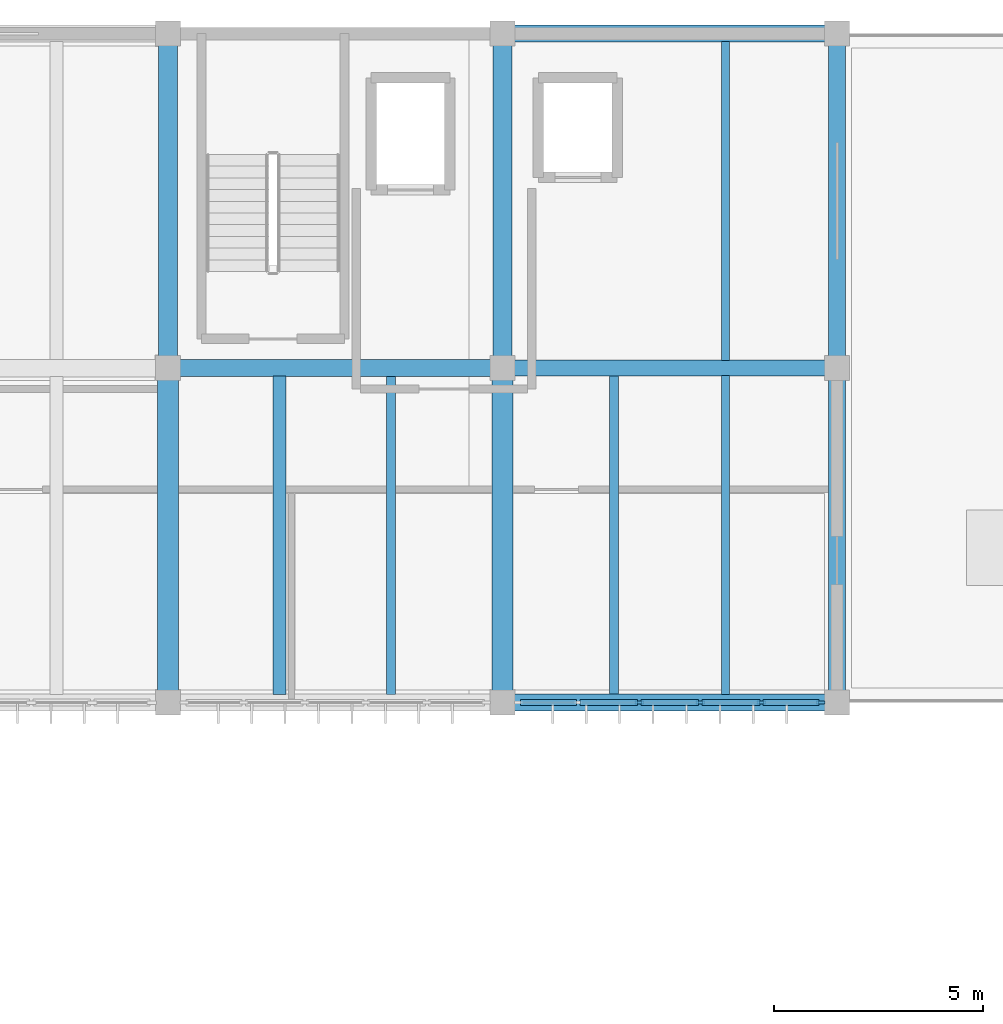
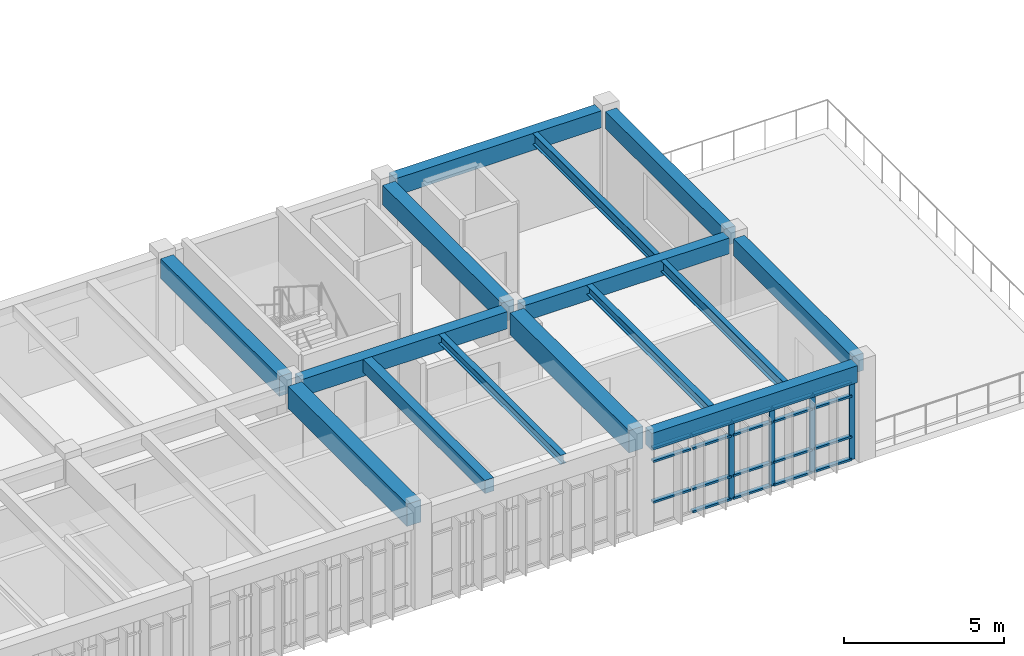
# One storey, part 10 of 22: 23 members, 15 beams, 1 element without a shape of its own.
"""IFC4 building model written with IfcOpenShell, lengths in metres."""

from ifc_helpers import new_model, si_unit, direction, frame, origin, origin_2d, place, context, subcontext, project, spatial, rectangle, i_section, extrude, material, material_profile, profile_set, type_object, element, aggregate, save


model = new_model("IFC4")

# Units and contexts
model_context = context("Model", 3, precision=1e-05, world=origin(), true_north=direction((0.0, 1.0)))
body_context = subcontext(model_context, "Body", "Model", "MODEL_VIEW")
ifc_project = project(units=[si_unit("LENGTHUNIT", "METRE"), si_unit("AREAUNIT", "SQUARE_METRE"), si_unit("VOLUMEUNIT", "CUBIC_METRE"), si_unit("PLANEANGLEUNIT", "RADIAN"), si_unit("MASSUNIT", "GRAM", prefix="KILO")], contexts=[model_context])

# Site, building, storey
site_placement = place(None, origin())
site = spatial("IfcSite", under=ifc_project, at=site_placement, CompositionType="ELEMENT")
building_placement = place(site_placement, origin())
building = spatial("IfcBuilding", under=site, at=building_placement, Name="Tlaxcora Railside Police Headquarters", CompositionType="ELEMENT")
storey_placement = place(building_placement, frame((0.0, 0.0, 21.89990234375)))
storey = spatial("IfcBuildingStorey", under=building, at=storey_placement, Name="L05", CompositionType="ELEMENT", Elevation=21.89990234375)

# Curtain wall, members
ifc_material_1 = material(Name="Thermally broken low-E insulated glazing", Category="glass")
curtain_wall_type = type_object("IfcCurtainWallType", Name="Unitised Curtain Wall Assembly CW-15", PredefinedType="NOTDEFINED", material=ifc_material_1)
curtain_wall_placement = place(storey_placement, origin())
curtain_wall = element("IfcCurtainWall", 1, at=curtain_wall_placement, inside=storey, type_object=curtain_wall_type, Name="V5 L05 curtain wall 114", PredefinedType="NOTDEFINED")
ifc_material_2 = material(Name="Anodised aluminium framing", Category="aluminium")
ifc_material_profile_1 = material_profile(ifc_material_2, rectangle(XDim=0.074951171875, YDim=0.199951171875, at=origin_2d()), Name="AL75X200")
ifc_profile_set_1 = profile_set([ifc_material_profile_1], Name="Anodised aluminium framing")
member_type_1 = type_object("IfcMemberType", Name="Curtain Wall Mullion CW-58", PredefinedType="MULLION", material=ifc_profile_set_1)
member_1_placement = place(storey_placement, frame((81.27001953125, 76.800048828125, 0.0), z_axis=(0.0, 0.0, 1.0), x_axis=(0.0, 1.0, 0.0)))
member_1 = element("IfcMember", 2, at=member_1_placement, type_object=member_type_1, Name="CW mullion 3", PredefinedType="MULLION", context=body_context, shape_type="SweptSolid", body=[
    extrude(rectangle(XDim=0.074951171875, YDim=0.199951171875, at=origin_2d()), origin(), (0.0, 0.0, 1.0), 2.97998046875),
])
member_2_placement = place(storey_placement, frame((82.72998046875, 76.800048828125, 0.0), z_axis=(0.0, 0.0, 1.0), x_axis=(0.0, 1.0, 0.0)))
member_2 = element("IfcMember", 3, at=member_2_placement, type_object=member_type_1, Name="CW mullion 4", PredefinedType="MULLION", context=body_context, shape_type="SweptSolid", body=[
    extrude(rectangle(XDim=0.074951171875, YDim=0.199951171875, at=origin_2d()), origin(), (0.0, 0.0, 1.0), 2.97998046875),
])
member_3_placement = place(storey_placement, frame((84.18994140625, 76.800048828125, 0.0), z_axis=(0.0, 0.0, 1.0), x_axis=(0.0, 1.0, 0.0)))
member_3 = element("IfcMember", 4, at=member_3_placement, type_object=member_type_1, Name="CW mullion 5", PredefinedType="MULLION", context=body_context, shape_type="SweptSolid", body=[
    extrude(rectangle(XDim=0.074951171875, YDim=0.199951171875, at=origin_2d()), origin(), (0.0, 0.0, 1.0), 2.97998046875),
])
member_4_placement = place(storey_placement, frame((85.612548828125, 76.800048828125, 0.0), z_axis=(0.0, 0.0, 1.0), x_axis=(0.0, 1.0, 0.0)))
member_4 = element("IfcMember", 5, at=member_4_placement, type_object=member_type_1, Name="CW mullion 6", PredefinedType="MULLION", context=body_context, shape_type="SweptSolid", body=[
    extrude(rectangle(XDim=0.074951171875, YDim=0.199951171875, at=origin_2d()), origin(), (0.0, 0.0, 1.0), 2.97998046875),
])
ifc_material_profile_2 = material_profile(ifc_material_2, rectangle(XDim=0.14990234375, YDim=0.074951171875, at=origin_2d()), Name="AL75X150")
ifc_profile_set_2 = profile_set([ifc_material_profile_2], Name="Anodised aluminium framing")
member_type_2 = type_object("IfcMemberType", Name="Curtain Wall Transom CW-28", PredefinedType="USERDEFINED", material=ifc_profile_set_2)
member_5_placement = place(storey_placement, frame((78.425048828125, 76.800048828125, 0.900146484375), z_axis=(1.0, 0.0, 0.0), x_axis=(0.0, 1.0, 0.0)))
member_5 = element("IfcMember", 6, at=member_5_placement, type_object=member_type_2, Name="CW transom 1.2", ObjectType="TRANSOM", PredefinedType="USERDEFINED", context=body_context, shape_type="SweptSolid", body=[
    extrude(rectangle(XDim=0.14990234375, YDim=0.074951171875, at=origin_2d()), origin(), (0.0, 0.0, 1.0), 1.347412109375),
])
member_6_placement = place(storey_placement, frame((78.425048828125, 76.800048828125, 2.4501953125), z_axis=(1.0, 0.0, 0.0), x_axis=(0.0, 1.0, 0.0)))
member_6 = element("IfcMember", 7, at=member_6_placement, type_object=member_type_2, Name="CW transom 1.3", ObjectType="TRANSOM", PredefinedType="USERDEFINED", context=body_context, shape_type="SweptSolid", body=[
    extrude(rectangle(XDim=0.14990234375, YDim=0.074951171875, at=origin_2d()), origin(), (0.0, 0.0, 1.0), 1.347412109375),
])
member_7_placement = place(storey_placement, frame((78.425048828125, 76.800048828125, 2.942626953125), z_axis=(1.0, 0.0, 0.0), x_axis=(0.0, 1.0, 0.0)))
member_7 = element("IfcMember", 8, at=member_7_placement, type_object=member_type_2, Name="CW transom 1.4", ObjectType="TRANSOM", PredefinedType="USERDEFINED", context=body_context, shape_type="SweptSolid", body=[
    extrude(rectangle(XDim=0.14990234375, YDim=0.074951171875, at=origin_2d()), origin(), (0.0, 0.0, 1.0), 1.347412109375),
])
member_8_placement = place(storey_placement, frame((79.847412109375, 76.800048828125, 0.03759765625), z_axis=(1.0, 0.0, 0.0), x_axis=(0.0, 1.0, 0.0)))
member_8 = element("IfcMember", 9, at=member_8_placement, type_object=member_type_2, Name="CW transom 2.1", ObjectType="TRANSOM", PredefinedType="USERDEFINED", context=body_context, shape_type="SweptSolid", body=[
    extrude(rectangle(XDim=0.14990234375, YDim=0.074951171875, at=origin_2d()), origin(), (0.0, 0.0, 1.0), 1.385009765625),
])
member_9_placement = place(storey_placement, frame((79.847412109375, 76.800048828125, 0.900146484375), z_axis=(1.0, 0.0, 0.0), x_axis=(0.0, 1.0, 0.0)))
member_9 = element("IfcMember", 10, at=member_9_placement, type_object=member_type_2, Name="CW transom 2.2", ObjectType="TRANSOM", PredefinedType="USERDEFINED", context=body_context, shape_type="SweptSolid", body=[
    extrude(rectangle(XDim=0.14990234375, YDim=0.074951171875, at=origin_2d()), origin(), (0.0, 0.0, 1.0), 1.385009765625),
])
member_10_placement = place(storey_placement, frame((79.847412109375, 76.800048828125, 2.4501953125), z_axis=(1.0, 0.0, 0.0), x_axis=(0.0, 1.0, 0.0)))
member_10 = element("IfcMember", 11, at=member_10_placement, type_object=member_type_2, Name="CW transom 2.3", ObjectType="TRANSOM", PredefinedType="USERDEFINED", context=body_context, shape_type="SweptSolid", body=[
    extrude(rectangle(XDim=0.14990234375, YDim=0.074951171875, at=origin_2d()), origin(), (0.0, 0.0, 1.0), 1.385009765625),
])
member_11_placement = place(storey_placement, frame((79.847412109375, 76.800048828125, 2.942626953125), z_axis=(1.0, 0.0, 0.0), x_axis=(0.0, 1.0, 0.0)))
member_11 = element("IfcMember", 12, at=member_11_placement, type_object=member_type_2, Name="CW transom 2.4", ObjectType="TRANSOM", PredefinedType="USERDEFINED", context=body_context, shape_type="SweptSolid", body=[
    extrude(rectangle(XDim=0.14990234375, YDim=0.074951171875, at=origin_2d()), origin(), (0.0, 0.0, 1.0), 1.385009765625),
])
member_12_placement = place(storey_placement, frame((81.3076171875, 76.800048828125, 0.03759765625), z_axis=(1.0, 0.0, 0.0), x_axis=(0.0, 1.0, 0.0)))
member_12 = element("IfcMember", 13, at=member_12_placement, type_object=member_type_2, Name="CW transom 3.1", ObjectType="TRANSOM", PredefinedType="USERDEFINED", context=body_context, shape_type="SweptSolid", body=[
    extrude(rectangle(XDim=0.14990234375, YDim=0.074951171875, at=origin_2d()), origin(), (0.0, 0.0, 1.0), 1.384765625),
])
member_13_placement = place(storey_placement, frame((81.3076171875, 76.800048828125, 0.900146484375), z_axis=(1.0, 0.0, 0.0), x_axis=(0.0, 1.0, 0.0)))
member_13 = element("IfcMember", 14, at=member_13_placement, type_object=member_type_2, Name="CW transom 3.2", ObjectType="TRANSOM", PredefinedType="USERDEFINED", context=body_context, shape_type="SweptSolid", body=[
    extrude(rectangle(XDim=0.14990234375, YDim=0.074951171875, at=origin_2d()), origin(), (0.0, 0.0, 1.0), 1.384765625),
])
member_14_placement = place(storey_placement, frame((81.3076171875, 76.800048828125, 2.4501953125), z_axis=(1.0, 0.0, 0.0), x_axis=(0.0, 1.0, 0.0)))
member_14 = element("IfcMember", 15, at=member_14_placement, type_object=member_type_2, Name="CW transom 3.3", ObjectType="TRANSOM", PredefinedType="USERDEFINED", context=body_context, shape_type="SweptSolid", body=[
    extrude(rectangle(XDim=0.14990234375, YDim=0.074951171875, at=origin_2d()), origin(), (0.0, 0.0, 1.0), 1.384765625),
])
member_15_placement = place(storey_placement, frame((81.3076171875, 76.800048828125, 2.942626953125), z_axis=(1.0, 0.0, 0.0), x_axis=(0.0, 1.0, 0.0)))
member_15 = element("IfcMember", 16, at=member_15_placement, type_object=member_type_2, Name="CW transom 3.4", ObjectType="TRANSOM", PredefinedType="USERDEFINED", context=body_context, shape_type="SweptSolid", body=[
    extrude(rectangle(XDim=0.14990234375, YDim=0.074951171875, at=origin_2d()), origin(), (0.0, 0.0, 1.0), 1.384765625),
])
member_16_placement = place(storey_placement, frame((82.767578125, 76.800048828125, 0.03759765625), z_axis=(1.0, 0.0, 0.0), x_axis=(0.0, 1.0, 0.0)))
member_16 = element("IfcMember", 17, at=member_16_placement, type_object=member_type_2, Name="CW transom 4.1", ObjectType="TRANSOM", PredefinedType="USERDEFINED", context=body_context, shape_type="SweptSolid", body=[
    extrude(rectangle(XDim=0.14990234375, YDim=0.074951171875, at=origin_2d()), origin(), (0.0, 0.0, 1.0), 1.385009765625),
])
member_17_placement = place(storey_placement, frame((82.767578125, 76.800048828125, 0.900146484375), z_axis=(1.0, 0.0, 0.0), x_axis=(0.0, 1.0, 0.0)))
member_17 = element("IfcMember", 18, at=member_17_placement, type_object=member_type_2, Name="CW transom 4.2", ObjectType="TRANSOM", PredefinedType="USERDEFINED", context=body_context, shape_type="SweptSolid", body=[
    extrude(rectangle(XDim=0.14990234375, YDim=0.074951171875, at=origin_2d()), origin(), (0.0, 0.0, 1.0), 1.385009765625),
])
member_18_placement = place(storey_placement, frame((82.767578125, 76.800048828125, 2.4501953125), z_axis=(1.0, 0.0, 0.0), x_axis=(0.0, 1.0, 0.0)))
member_18 = element("IfcMember", 19, at=member_18_placement, type_object=member_type_2, Name="CW transom 4.3", ObjectType="TRANSOM", PredefinedType="USERDEFINED", context=body_context, shape_type="SweptSolid", body=[
    extrude(rectangle(XDim=0.14990234375, YDim=0.074951171875, at=origin_2d()), origin(), (0.0, 0.0, 1.0), 1.385009765625),
])
member_19_placement = place(storey_placement, frame((82.767578125, 76.800048828125, 2.942626953125), z_axis=(1.0, 0.0, 0.0), x_axis=(0.0, 1.0, 0.0)))
member_19 = element("IfcMember", 20, at=member_19_placement, type_object=member_type_2, Name="CW transom 4.4", ObjectType="TRANSOM", PredefinedType="USERDEFINED", context=body_context, shape_type="SweptSolid", body=[
    extrude(rectangle(XDim=0.14990234375, YDim=0.074951171875, at=origin_2d()), origin(), (0.0, 0.0, 1.0), 1.385009765625),
])
member_20_placement = place(storey_placement, frame((84.2275390625, 76.800048828125, 0.03759765625), z_axis=(1.0, 0.0, 0.0), x_axis=(0.0, 1.0, 0.0)))
member_20 = element("IfcMember", 21, at=member_20_placement, type_object=member_type_2, Name="CW transom 5.1", ObjectType="TRANSOM", PredefinedType="USERDEFINED", context=body_context, shape_type="SweptSolid", body=[
    extrude(rectangle(XDim=0.14990234375, YDim=0.074951171875, at=origin_2d()), origin(), (0.0, 0.0, 1.0), 1.347412109375),
])
member_21_placement = place(storey_placement, frame((84.2275390625, 76.800048828125, 0.900146484375), z_axis=(1.0, 0.0, 0.0), x_axis=(0.0, 1.0, 0.0)))
member_21 = element("IfcMember", 22, at=member_21_placement, type_object=member_type_2, Name="CW transom 5.2", ObjectType="TRANSOM", PredefinedType="USERDEFINED", context=body_context, shape_type="SweptSolid", body=[
    extrude(rectangle(XDim=0.14990234375, YDim=0.074951171875, at=origin_2d()), origin(), (0.0, 0.0, 1.0), 1.347412109375),
])
member_22_placement = place(storey_placement, frame((84.2275390625, 76.800048828125, 2.4501953125), z_axis=(1.0, 0.0, 0.0), x_axis=(0.0, 1.0, 0.0)))
member_22 = element("IfcMember", 23, at=member_22_placement, type_object=member_type_2, Name="CW transom 5.3", ObjectType="TRANSOM", PredefinedType="USERDEFINED", context=body_context, shape_type="SweptSolid", body=[
    extrude(rectangle(XDim=0.14990234375, YDim=0.074951171875, at=origin_2d()), origin(), (0.0, 0.0, 1.0), 1.347412109375),
])
member_23_placement = place(storey_placement, frame((84.2275390625, 76.800048828125, 2.942626953125), z_axis=(1.0, 0.0, 0.0), x_axis=(0.0, 1.0, 0.0)))
member_23 = element("IfcMember", 24, at=member_23_placement, type_object=member_type_2, Name="CW transom 5.4", ObjectType="TRANSOM", PredefinedType="USERDEFINED", context=body_context, shape_type="SweptSolid", body=[
    extrude(rectangle(XDim=0.14990234375, YDim=0.074951171875, at=origin_2d()), origin(), (0.0, 0.0, 1.0), 1.347412109375),
])
aggregate(curtain_wall, [member_1, member_2, member_3, member_4, member_5, member_6, member_7, member_8, member_9, member_10, member_11, member_12, member_13, member_14, member_15, member_16, member_17, member_18, member_19, member_20, member_21, member_22, member_23])

# Beams
ifc_material_3 = material(Name="Concrete C40/50", Category="concrete")
ifc_material_profile_3 = material_profile(ifc_material_3, rectangle(XDim=0.39990234375, YDim=0.64990234375, at=origin_2d()), Name="RC400X650")
ifc_profile_set_3 = profile_set([ifc_material_profile_3], Name="Concrete C40/50")
beam_type_1 = type_object("IfcBeamType", Name="Perimeter Spandrel Beam BM-46", PredefinedType="SPANDREL", material=ifc_profile_set_3)
for number, where, z_axis, x_axis, name in (
    (25, (78.2900390625, 76.800048828125, 3.3251953125), (1.0, 0.0, 0.0), (0.0, 1.0, 0.0), "V5 L05 X-girder Y=76.8"),
    (26, (78.2900390625, 92.800048828125, 3.3251953125), (1.0, 0.0, 0.0), (0.0, 1.0, 0.0), "V5 L05 X-girder Y=92.8"),
    (27, (86.0, 77.090087890625, 3.3251953125), (0.0, 1.0, 0.0), (-1.0, 0.0, 0.0), "V5 L05 Y-girder X=86.0"),
    (28, (86.0, 85.090087890625, 3.3251953125), (0.0, 1.0, 0.0), (-1.0, 0.0, 0.0), "V5 L05 Y-girder X=86.0"),
):
    element("IfcBeam", number, at=place(storey_placement, frame(where, z_axis=z_axis, x_axis=x_axis)), inside=storey, type_object=beam_type_1, Name=name, PredefinedType="SPANDREL", context=body_context, shape_type="SweptSolid", body=[
        extrude(rectangle(XDim=0.39990234375, YDim=0.64990234375, at=origin_2d()), origin(), (0.0, 0.0, 1.0), 7.419921875),
    ])
ifc_material_profile_4 = material_profile(ifc_material_3, rectangle(XDim=0.3798828125, YDim=0.60009765625, at=origin_2d()), Name="RC380X600")
ifc_profile_set_4 = profile_set([ifc_material_profile_4], Name="Concrete C40/50")
beam_type_2 = type_object("IfcBeamType", Name="Primary Frame Girder BM-22", PredefinedType="BEAM", material=ifc_profile_set_4)
beam_1_placement = place(storey_placement, frame((78.2900390625, 84.800048828125, 3.35009765625), z_axis=(1.0, 0.0, 0.0), x_axis=(0.0, 1.0, 0.0)))
element("IfcBeam", 29, at=beam_1_placement, inside=storey, type_object=beam_type_2, Name="V5 L05 X-girder Y=84.8", PredefinedType="BEAM", context=body_context, shape_type="SweptSolid", body=[
    extrude(rectangle(XDim=0.3798828125, YDim=0.60009765625, at=origin_2d()), origin(), (0.0, 0.0, 1.0), 7.419921875),
])
ifc_material_profile_5 = material_profile(ifc_material_3, rectangle(XDim=0.39990234375, YDim=0.64990234375, at=origin_2d()), Name="RC400X650")
ifc_profile_set_5 = profile_set([ifc_material_profile_5], Name="Concrete C40/50")
beam_type_3 = type_object("IfcBeamType", Name="Primary Frame Girder BM-41", PredefinedType="BEAM", material=ifc_profile_set_5)
beam_2_placement = place(storey_placement, frame((70.2900390625, 84.800048828125, 3.3251953125), z_axis=(1.0, 0.0, 0.0), x_axis=(0.0, 1.0, 0.0)))
element("IfcBeam", 30, at=beam_2_placement, inside=storey, type_object=beam_type_3, Name="V5 L05 X-girder Y=84.8", PredefinedType="BEAM", context=body_context, shape_type="SweptSolid", body=[
    extrude(rectangle(XDim=0.39990234375, YDim=0.64990234375, at=origin_2d()), origin(), (0.0, 0.0, 1.0), 7.419921875),
])
ifc_material_profile_6 = material_profile(ifc_material_3, rectangle(XDim=0.5, YDim=0.85009765625, at=origin_2d()), Name="RC500X850")
ifc_profile_set_6 = profile_set([ifc_material_profile_6], Name="Concrete C40/50")
beam_type_4 = type_object("IfcBeamType", Name="Primary Frame Girder BM-64", PredefinedType="BEAM", material=ifc_profile_set_6)
for number, where, z_axis, x_axis, name in (
    (31, (70.0, 77.090087890625, 3.22509765625), (0.0, 1.0, 0.0), (-1.0, 0.0, 0.0), "V5 L05 Y-girder X=70.0"),
    (32, (78.0, 77.090087890625, 3.22509765625), (0.0, 1.0, 0.0), (-1.0, 0.0, 0.0), "V5 L05 Y-girder X=78.0"),
):
    element("IfcBeam", number, at=place(storey_placement, frame(where, z_axis=z_axis, x_axis=x_axis)), inside=storey, type_object=beam_type_4, Name=name, PredefinedType="BEAM", context=body_context, shape_type="SweptSolid", body=[
        extrude(rectangle(XDim=0.5, YDim=0.85009765625, at=origin_2d()), origin(), (0.0, 0.0, 1.0), 7.419921875),
    ])
ifc_material_profile_7 = material_profile(ifc_material_3, rectangle(XDim=0.449951171875, YDim=0.75, at=origin_2d()), Name="RC450X750")
ifc_profile_set_7 = profile_set([ifc_material_profile_7], Name="Concrete C40/50")
beam_type_5 = type_object("IfcBeamType", Name="Primary Frame Girder BM-73", PredefinedType="BEAM", material=ifc_profile_set_7)
for number, where, z_axis, x_axis, name in (
    (33, (70.0, 85.090087890625, 3.275146484375), (0.0, 1.0, 0.0), (-1.0, 0.0, 0.0), "V5 L05 Y-girder X=70.0"),
    (34, (78.0, 85.090087890625, 3.275146484375), (0.0, 1.0, 0.0), (-1.0, 0.0, 0.0), "V5 L05 Y-girder X=78.0"),
):
    element("IfcBeam", number, at=place(storey_placement, frame(where, z_axis=z_axis, x_axis=x_axis)), inside=storey, type_object=beam_type_5, Name=name, PredefinedType="BEAM", context=body_context, shape_type="SweptSolid", body=[
        extrude(rectangle(XDim=0.449951171875, YDim=0.75, at=origin_2d()), origin(), (0.0, 0.0, 1.0), 7.419921875),
    ])
ifc_material_4 = material(Name="Steel ASTM A992 Grade 50", Category="steel")
ifc_material_profile_8 = material_profile(ifc_material_4, i_section(OverallWidth=0.2041015625, OverallDepth=0.35009765625, WebThickness=0.008544921875, FlangeThickness=0.01513671875, at=origin_2d()), Name="W14X48")
ifc_profile_set_8 = profile_set([ifc_material_profile_8], Name="Steel ASTM A992 Grade 50")
beam_type_6 = type_object("IfcBeamType", Name="Secondary Floor Joist BM-65", PredefinedType="JOIST", material=ifc_profile_set_8)
beam_3_placement = place(storey_placement, frame((75.333251953125, 76.991943359375, 3.47509765625), z_axis=(0.0, 1.0, 0.0), x_axis=(-1.0, 0.0, 0.0)))
element("IfcBeam", 35, at=beam_3_placement, inside=storey, type_object=beam_type_6, Name="V5 L05 floor joist X=75.33", PredefinedType="JOIST", context=body_context, shape_type="SweptSolid", body=[
    extrude(i_section(OverallWidth=0.2041015625, OverallDepth=0.35009765625, WebThickness=0.008544921875, FlangeThickness=0.01513671875, at=origin_2d()), origin(), (0.0, 0.0, 1.0), 7.615966796875),
])
beam_4_placement = place(storey_placement, frame((80.666748046875, 76.991943359375, 3.47509765625), z_axis=(0.0, 1.0, 0.0), x_axis=(-1.0, 0.0, 0.0)))
element("IfcBeam", 36, at=beam_4_placement, inside=storey, type_object=beam_type_6, Name="V5 L05 floor joist X=80.67", PredefinedType="JOIST", context=body_context, shape_type="SweptSolid", body=[
    extrude(i_section(OverallWidth=0.2041015625, OverallDepth=0.35009765625, WebThickness=0.008544921875, FlangeThickness=0.01513671875, at=origin_2d()), origin(), (0.0, 0.0, 1.0), 7.6259765625),
])
ifc_material_profile_9 = material_profile(ifc_material_4, i_section(OverallWidth=0.180908203125, OverallDepth=0.4169921875, WebThickness=0.010009765625, FlangeThickness=0.018310546875, at=origin_2d()), Name="W16X57")
ifc_profile_set_9 = profile_set([ifc_material_profile_9], Name="Steel ASTM A992 Grade 50")
beam_type_7 = type_object("IfcBeamType", Name="Secondary Floor Joist BM-84", PredefinedType="JOIST", material=ifc_profile_set_9)
for number, where, z_axis, x_axis, name in (
    (37, (83.333251953125, 76.991943359375, 3.441650390625), (0.0, 1.0, 0.0), (-1.0, 0.0, 0.0), "V5 L05 floor joist X=83.33"),
    (38, (83.333251953125, 84.98193359375, 3.441650390625), (0.0, 1.0, 0.0), (-1.0, 0.0, 0.0), "V5 L05 floor joist X=83.33"),
):
    element("IfcBeam", number, at=place(storey_placement, frame(where, z_axis=z_axis, x_axis=x_axis)), inside=storey, type_object=beam_type_7, Name=name, PredefinedType="JOIST", context=body_context, shape_type="SweptSolid", body=[
        extrude(i_section(OverallWidth=0.180908203125, OverallDepth=0.4169921875, WebThickness=0.010009765625, FlangeThickness=0.018310546875, at=origin_2d()), origin(), (0.0, 0.0, 1.0), 7.6259765625),
    ])
ifc_material_5 = material(Name="Concrete C35/45", Category="concrete")
ifc_material_profile_10 = material_profile(ifc_material_5, rectangle(XDim=0.320068359375, YDim=0.5, at=origin_2d()), Name="RC320X500")
ifc_profile_set_10 = profile_set([ifc_material_profile_10], Name="Concrete C35/45")
beam_type_8 = type_object("IfcBeamType", Name="Secondary Floor Joist BM-88", PredefinedType="JOIST", material=ifc_profile_set_10)
beam_5_placement = place(storey_placement, frame((72.666748046875, 76.991943359375, 3.400146484375), z_axis=(0.0, 1.0, 0.0), x_axis=(-1.0, 0.0, 0.0)))
element("IfcBeam", 39, at=beam_5_placement, inside=storey, type_object=beam_type_8, Name="V5 L05 floor joist X=72.67", PredefinedType="JOIST", context=body_context, shape_type="SweptSolid", body=[
    extrude(rectangle(XDim=0.320068359375, YDim=0.5, at=origin_2d()), origin(), (0.0, 0.0, 1.0), 7.615966796875),
])

save(model, "model.ifc")
